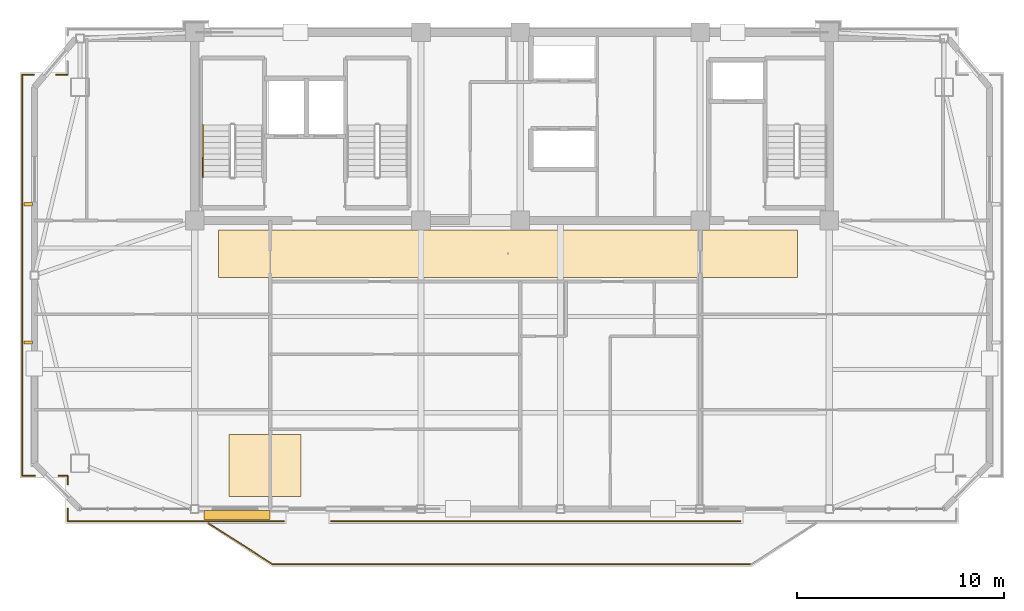
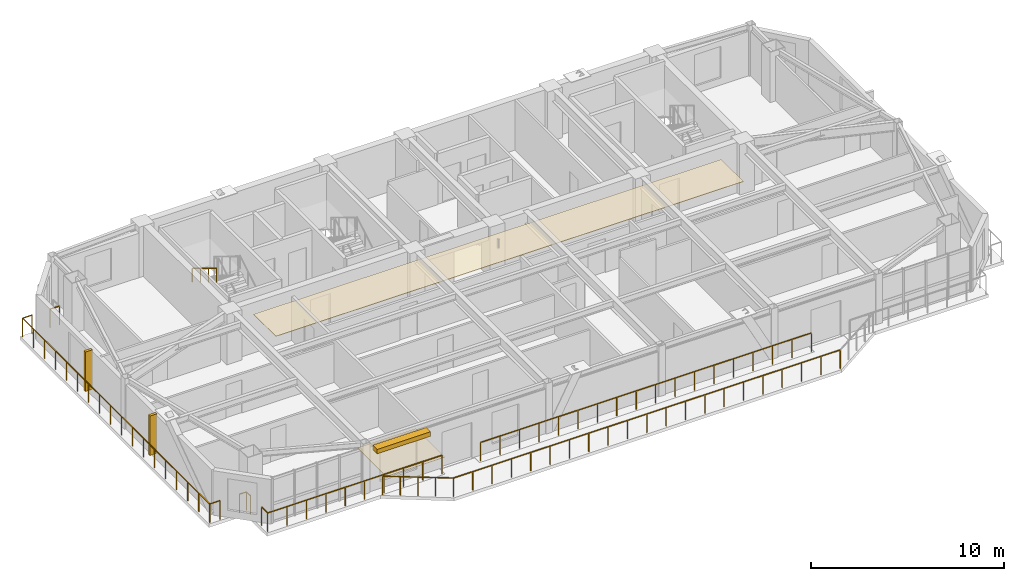
# One storey, part 10 of 12: 12 railings, 3 shading devices, 2 coverings.
"""IFC4 building model written with IfcOpenShell, lengths in metres."""

from ifc_helpers import new_model, si_unit, direction, frame, origin, origin_2d, place, context, subcontext, project, spatial, polyline, rectangle, outline, extrude, source, transform, mapped, material, layer, layer_set, type_object, element, save


model = new_model("IFC4")

# Units and contexts
model_context = context("Model", 3, precision=1e-05, world=origin(), true_north=direction((0.0, 1.0)))
body_context = subcontext(model_context, "Body", "Model", "MODEL_VIEW")
ifc_project = project(units=[si_unit("LENGTHUNIT", "METRE"), si_unit("AREAUNIT", "SQUARE_METRE"), si_unit("VOLUMEUNIT", "CUBIC_METRE"), si_unit("PLANEANGLEUNIT", "RADIAN"), si_unit("MASSUNIT", "GRAM", prefix="KILO")], contexts=[model_context])

# Site, building, storey
site_placement = place(None, origin())
site = spatial("IfcSite", under=ifc_project, at=site_placement, CompositionType="ELEMENT")
building_placement = place(site_placement, origin())
building = spatial("IfcBuilding", under=site, at=building_placement, Name="Giltprow Tower", CompositionType="ELEMENT")
storey_placement = place(building_placement, frame((0.0, 0.0, 345.89990234375)))
storey = spatial("IfcBuildingStorey", under=building, at=storey_placement, Name="L90", CompositionType="ELEMENT", Elevation=345.89990234375)

# Coverings
ifc_material_1 = material(Name="Painted gypsum board", Category="gypsum")
ifc_layer_1 = layer(ifc_material_1, 0.030029296875, Name="Painted gypsum board")
ifc_layer_set_1 = layer_set([ifc_layer_1], Name="Painted gypsum board")
covering_type_1 = type_object("IfcCoveringType", Name="COV-CLG-GYPSUM", PredefinedType="CEILING", material=ifc_layer_set_1)
covering_1_placement = place(storey_placement, frame((0.0, 0.0, 2.6201171875)))
element("IfcCovering", 1, at=covering_1_placement, inside=storey, type_object=covering_type_1, Name="L90 Residence Gallery Ceiling", PredefinedType="CEILING", context=body_context, shape_type="SweptSolid", body=[
    extrude(outline(polyline([(21.0, 34.699951171875), (49.0, 34.699951171875), (49.0, 37.0), (21.0, 37.0), (21.0, 34.699951171875)])), origin(), (0.0, 0.0, 1.0), 0.030029296875),
])
ifc_material_2 = material(Name="Engineered oak", Category="wood")
ifc_layer_2 = layer(ifc_material_2, 0.02490234375, Name="Engineered oak")
ifc_layer_set_2 = layer_set([ifc_layer_2], Name="Engineered oak")
covering_type_2 = type_object("IfcCoveringType", Name="COV-FLR-TIMBER", PredefinedType="FLOORING", material=ifc_layer_set_2)
covering_2_placement = place(storey_placement, origin())
element("IfcCovering", 2, at=covering_2_placement, inside=storey, type_object=covering_type_2, Name="L90 Residence Oak Parquet Flooring", PredefinedType="FLOORING", context=body_context, shape_type="SweptSolid", body=[
    extrude(outline(polyline([(21.5, 24.10009765625), (25.0, 24.10009765625), (25.0, 27.10009765625), (21.5, 27.10009765625), (21.5, 24.10009765625)])), origin(), (0.0, 0.0, 1.0), 0.025146484375),
])

# Railings
ifc_material_3 = material(Name="Anodized bronze", Category="metal")
railing_type_1 = type_object("IfcRailingType", Name="RAIL-BALC-GUARD-1200", PredefinedType="BALUSTRADE", material=ifc_material_3)
railing_1_placement = place(storey_placement, frame((20.52001953125, 22.800048828125, 0.0)))
element("IfcRailing", 3, at=railing_1_placement, inside=storey, type_object=railing_type_1, Name="L90 Waterfront Balcony Balustrade Seg 1", PredefinedType="BALUSTRADE", context=body_context, shape_type="SweptSolid", body=[
    extrude(rectangle(XDim=0.048095703125, YDim=0.048095703125, at=origin_2d()), frame((0.0, 0.0, 1.17578125), z_axis=(0.84277487735, -0.538266203757, 0.0), x_axis=(0.538266203757, 0.84277487735, 0.0)), (0.0, 0.0, 1.0), 3.678466796875),
    extrude(rectangle(XDim=0.0419921875, YDim=0.0419921875, at=origin_2d()), origin(), (0.0, 0.0, 1.0), 1.15185546875),
    extrude(rectangle(XDim=0.0419921875, YDim=0.0419921875, at=origin_2d()), frame((0.77490234375, -0.4951171875, 0.0)), (0.0, 0.0, 1.0), 1.15185546875),
    extrude(rectangle(XDim=0.0419921875, YDim=0.0419921875, at=origin_2d()), frame((1.550048828125, -0.989990234375, 0.0)), (0.0, 0.0, 1.0), 1.15185546875),
    extrude(rectangle(XDim=0.0419921875, YDim=0.0419921875, at=origin_2d()), frame((2.3251953125, -1.48486328125, 0.0)), (0.0, 0.0, 1.0), 1.15185546875),
    extrude(rectangle(XDim=0.0419921875, YDim=0.0419921875, at=origin_2d()), frame((3.10009765625, -1.97998046875, 0.0)), (0.0, 0.0, 1.0), 1.15185546875),
])
railing_2_placement = place(storey_placement, frame((23.6201171875, 20.820068359375, 0.0)))
element("IfcRailing", 4, at=railing_2_placement, inside=storey, type_object=railing_type_1, Name="L90 Waterfront Balcony Balustrade Seg 2", PredefinedType="BALUSTRADE", context=body_context, shape_type="SweptSolid", body=[
    extrude(rectangle(XDim=0.048095703125, YDim=0.048095703125, at=origin_2d()), frame((0.0, 0.0, 1.17578125), z_axis=(1.0, 0.0, 0.0), x_axis=(0.0, 1.0, 0.0)), (0.0, 0.0, 1.0), 23.159912109375),
    extrude(rectangle(XDim=0.0419921875, YDim=0.0419921875, at=origin_2d()), origin(), (0.0, 0.0, 1.0), 1.15185546875),
    extrude(rectangle(XDim=0.0419921875, YDim=0.0419921875, at=origin_2d()), frame((1.157958984375, 0.0, 0.0)), (0.0, 0.0, 1.0), 1.15185546875),
    extrude(rectangle(XDim=0.0419921875, YDim=0.0419921875, at=origin_2d()), frame((2.31591796875, 0.0, 0.0)), (0.0, 0.0, 1.0), 1.15185546875),
    extrude(rectangle(XDim=0.0419921875, YDim=0.0419921875, at=origin_2d()), frame((3.473876953125, 0.0, 0.0)), (0.0, 0.0, 1.0), 1.15185546875),
    extrude(rectangle(XDim=0.0419921875, YDim=0.0419921875, at=origin_2d()), frame((4.632080078125, 0.0, 0.0)), (0.0, 0.0, 1.0), 1.15185546875),
    extrude(rectangle(XDim=0.0419921875, YDim=0.0419921875, at=origin_2d()), frame((5.7900390625, 0.0, 0.0)), (0.0, 0.0, 1.0), 1.15185546875),
    extrude(rectangle(XDim=0.0419921875, YDim=0.0419921875, at=origin_2d()), frame((6.947998046875, 0.0, 0.0)), (0.0, 0.0, 1.0), 1.15185546875),
    extrude(rectangle(XDim=0.0419921875, YDim=0.0419921875, at=origin_2d()), frame((8.10595703125, 0.0, 0.0)), (0.0, 0.0, 1.0), 1.15185546875),
    extrude(rectangle(XDim=0.0419921875, YDim=0.0419921875, at=origin_2d()), frame((9.263916015625, 0.0, 0.0)), (0.0, 0.0, 1.0), 1.15185546875),
    extrude(rectangle(XDim=0.0419921875, YDim=0.0419921875, at=origin_2d()), frame((10.421875, 0.0, 0.0)), (0.0, 0.0, 1.0), 1.15185546875),
    extrude(rectangle(XDim=0.0419921875, YDim=0.0419921875, at=origin_2d()), frame((11.580078125, 0.0, 0.0)), (0.0, 0.0, 1.0), 1.15185546875),
    extrude(rectangle(XDim=0.0419921875, YDim=0.0419921875, at=origin_2d()), frame((12.738037109375, 0.0, 0.0)), (0.0, 0.0, 1.0), 1.15185546875),
    extrude(rectangle(XDim=0.0419921875, YDim=0.0419921875, at=origin_2d()), frame((13.89599609375, 0.0, 0.0)), (0.0, 0.0, 1.0), 1.15185546875),
    extrude(rectangle(XDim=0.0419921875, YDim=0.0419921875, at=origin_2d()), frame((15.053955078125, 0.0, 0.0)), (0.0, 0.0, 1.0), 1.15185546875),
    extrude(rectangle(XDim=0.0419921875, YDim=0.0419921875, at=origin_2d()), frame((16.2119140625, 0.0, 0.0)), (0.0, 0.0, 1.0), 1.15185546875),
    extrude(rectangle(XDim=0.0419921875, YDim=0.0419921875, at=origin_2d()), frame((17.369873046875, 0.0, 0.0)), (0.0, 0.0, 1.0), 1.15185546875),
    extrude(rectangle(XDim=0.0419921875, YDim=0.0419921875, at=origin_2d()), frame((18.52783203125, 0.0, 0.0)), (0.0, 0.0, 1.0), 1.15185546875),
    extrude(rectangle(XDim=0.0419921875, YDim=0.0419921875, at=origin_2d()), frame((19.68603515625, 0.0, 0.0)), (0.0, 0.0, 1.0), 1.15185546875),
    extrude(rectangle(XDim=0.0419921875, YDim=0.0419921875, at=origin_2d()), frame((20.843994140625, 0.0, 0.0)), (0.0, 0.0, 1.0), 1.15185546875),
    extrude(rectangle(XDim=0.0419921875, YDim=0.0419921875, at=origin_2d()), frame((22.001953125, 0.0, 0.0)), (0.0, 0.0, 1.0), 1.15185546875),
    extrude(rectangle(XDim=0.0419921875, YDim=0.0419921875, at=origin_2d()), frame((23.159912109375, 0.0, 0.0)), (0.0, 0.0, 1.0), 1.15185546875),
])
railing_3_placement = place(storey_placement, frame((46.25, 22.89990234375, 0.0)))
element("IfcRailing", 5, at=railing_3_placement, inside=storey, type_object=railing_type_1, Name="L90 Corner Apron Edge Balustrade 7", PredefinedType="BALUSTRADE", context=body_context, shape_type="SweptSolid", body=[
    extrude(rectangle(XDim=0.048095703125, YDim=0.048095703125, at=origin_2d()), frame((0.0, 0.0, 1.17578125), z_axis=(-1.0, 0.0, 0.0), x_axis=(0.0, -1.0, 0.0)), (0.0, 0.0, 1.0), 19.800048828125),
    extrude(rectangle(XDim=0.0419921875, YDim=0.0419921875, at=origin_2d()), origin(), (0.0, 0.0, 1.0), 1.15185546875),
    extrude(rectangle(XDim=0.0419921875, YDim=0.0419921875, at=origin_2d()), frame((-1.164794921875, 0.0, 0.0)), (0.0, 0.0, 1.0), 1.15185546875),
    extrude(rectangle(XDim=0.0419921875, YDim=0.0419921875, at=origin_2d()), frame((-2.329345703125, 0.0, 0.0)), (0.0, 0.0, 1.0), 1.15185546875),
    extrude(rectangle(XDim=0.0419921875, YDim=0.0419921875, at=origin_2d()), frame((-3.494140625, 0.0, 0.0)), (0.0, 0.0, 1.0), 1.15185546875),
    extrude(rectangle(XDim=0.0419921875, YDim=0.0419921875, at=origin_2d()), frame((-4.658935546875, 0.0, 0.0)), (0.0, 0.0, 1.0), 1.15185546875),
    extrude(rectangle(XDim=0.0419921875, YDim=0.0419921875, at=origin_2d()), frame((-5.823486328125, 0.0, 0.0)), (0.0, 0.0, 1.0), 1.15185546875),
    extrude(rectangle(XDim=0.0419921875, YDim=0.0419921875, at=origin_2d()), frame((-6.98828125, 0.0, 0.0)), (0.0, 0.0, 1.0), 1.15185546875),
    extrude(rectangle(XDim=0.0419921875, YDim=0.0419921875, at=origin_2d()), frame((-8.153076171875, 0.0, 0.0)), (0.0, 0.0, 1.0), 1.15185546875),
    extrude(rectangle(XDim=0.0419921875, YDim=0.0419921875, at=origin_2d()), frame((-9.317626953125, 0.0, 0.0)), (0.0, 0.0, 1.0), 1.15185546875),
    extrude(rectangle(XDim=0.0419921875, YDim=0.0419921875, at=origin_2d()), frame((-10.482421875, 0.0, 0.0)), (0.0, 0.0, 1.0), 1.15185546875),
    extrude(rectangle(XDim=0.0419921875, YDim=0.0419921875, at=origin_2d()), frame((-11.64697265625, 0.0, 0.0)), (0.0, 0.0, 1.0), 1.15185546875),
    extrude(rectangle(XDim=0.0419921875, YDim=0.0419921875, at=origin_2d()), frame((-12.811767578125, 0.0, 0.0)), (0.0, 0.0, 1.0), 1.15185546875),
    extrude(rectangle(XDim=0.0419921875, YDim=0.0419921875, at=origin_2d()), frame((-13.9765625, 0.0, 0.0)), (0.0, 0.0, 1.0), 1.15185546875),
    extrude(rectangle(XDim=0.0419921875, YDim=0.0419921875, at=origin_2d()), frame((-15.14111328125, 0.0, 0.0)), (0.0, 0.0, 1.0), 1.15185546875),
    extrude(rectangle(XDim=0.0419921875, YDim=0.0419921875, at=origin_2d()), frame((-16.305908203125, 0.0, 0.0)), (0.0, 0.0, 1.0), 1.15185546875),
    extrude(rectangle(XDim=0.0419921875, YDim=0.0419921875, at=origin_2d()), frame((-17.470703125, 0.0, 0.0)), (0.0, 0.0, 1.0), 1.15185546875),
    extrude(rectangle(XDim=0.0419921875, YDim=0.0419921875, at=origin_2d()), frame((-18.63525390625, 0.0, 0.0)), (0.0, 0.0, 1.0), 1.15185546875),
    extrude(rectangle(XDim=0.0419921875, YDim=0.0419921875, at=origin_2d()), frame((-19.800048828125, 0.0, 0.0)), (0.0, 0.0, 1.0), 1.15185546875),
])
railing_4_placement = place(storey_placement, frame((24.14990234375, 22.89990234375, 0.0)))
element("IfcRailing", 6, at=railing_4_placement, inside=storey, type_object=railing_type_1, Name="L90 Corner Apron Edge Balustrade 8", PredefinedType="BALUSTRADE", context=body_context, shape_type="SweptSolid", body=[
    extrude(rectangle(XDim=0.048095703125, YDim=0.048095703125, at=origin_2d()), frame((0.0, 0.0, 1.17578125), z_axis=(-1.0, 0.0, 0.0), x_axis=(0.0, -1.0, 0.0)), (0.0, 0.0, 1.0), 10.449951171875),
    extrude(rectangle(XDim=0.0419921875, YDim=0.0419921875, at=origin_2d()), origin(), (0.0, 0.0, 1.0), 1.15185546875),
    extrude(rectangle(XDim=0.0419921875, YDim=0.0419921875, at=origin_2d()), frame((-1.1611328125, 0.0, 0.0)), (0.0, 0.0, 1.0), 1.15185546875),
    extrude(rectangle(XDim=0.0419921875, YDim=0.0419921875, at=origin_2d()), frame((-2.322265625, 0.0, 0.0)), (0.0, 0.0, 1.0), 1.15185546875),
    extrude(rectangle(XDim=0.0419921875, YDim=0.0419921875, at=origin_2d()), frame((-3.4833984375, 0.0, 0.0)), (0.0, 0.0, 1.0), 1.15185546875),
    extrude(rectangle(XDim=0.0419921875, YDim=0.0419921875, at=origin_2d()), frame((-4.64453125, 0.0, 0.0)), (0.0, 0.0, 1.0), 1.15185546875),
    extrude(rectangle(XDim=0.0419921875, YDim=0.0419921875, at=origin_2d()), frame((-5.805419921875, 0.0, 0.0)), (0.0, 0.0, 1.0), 1.15185546875),
    extrude(rectangle(XDim=0.0419921875, YDim=0.0419921875, at=origin_2d()), frame((-6.966552734375, 0.0, 0.0)), (0.0, 0.0, 1.0), 1.15185546875),
    extrude(rectangle(XDim=0.0419921875, YDim=0.0419921875, at=origin_2d()), frame((-8.127685546875, 0.0, 0.0)), (0.0, 0.0, 1.0), 1.15185546875),
    extrude(rectangle(XDim=0.0419921875, YDim=0.0419921875, at=origin_2d()), frame((-9.288818359375, 0.0, 0.0)), (0.0, 0.0, 1.0), 1.15185546875),
    extrude(rectangle(XDim=0.0419921875, YDim=0.0419921875, at=origin_2d()), frame((-10.449951171875, 0.0, 0.0)), (0.0, 0.0, 1.0), 1.15185546875),
])
railing_5_placement = place(storey_placement, frame((13.699951171875, 22.89990234375, 0.0)))
element("IfcRailing", 7, at=railing_5_placement, inside=storey, type_object=railing_type_1, Name="L90 Corner Apron Edge Balustrade 9", PredefinedType="BALUSTRADE", context=body_context, shape_type="SweptSolid", body=[
    extrude(rectangle(XDim=0.048095703125, YDim=0.048095703125, at=origin_2d()), frame((0.0, 0.0, 1.17578125), z_axis=(0.0, 1.0, 0.0), x_axis=(-1.0, 0.0, 0.0)), (0.0, 0.0, 1.0), 0.6201171875),
    extrude(rectangle(XDim=0.0419921875, YDim=0.0419921875, at=origin_2d()), origin(), (0.0, 0.0, 1.0), 1.15185546875),
    extrude(rectangle(XDim=0.0419921875, YDim=0.0419921875, at=origin_2d()), frame((0.0, 0.6201171875, 0.0)), (0.0, 0.0, 1.0), 1.15185546875),
])
railing_6_placement = place(storey_placement, frame((13.699951171875, 24.679931640625, 0.0)))
element("IfcRailing", 8, at=railing_6_placement, inside=storey, type_object=railing_type_1, Name="L90 Corner Apron Edge Balustrade 10", PredefinedType="BALUSTRADE", context=body_context, shape_type="SweptSolid", body=[
    extrude(rectangle(XDim=0.048095703125, YDim=0.048095703125, at=origin_2d()), frame((0.0, 0.0, 1.17578125), z_axis=(0.0, 1.0, 0.0), x_axis=(-1.0, 0.0, 0.0)), (0.0, 0.0, 1.0), 0.420166015625),
    extrude(rectangle(XDim=0.0419921875, YDim=0.0419921875, at=origin_2d()), origin(), (0.0, 0.0, 1.0), 1.15185546875),
    extrude(rectangle(XDim=0.0419921875, YDim=0.0419921875, at=origin_2d()), frame((0.0, 0.420166015625, 0.0)), (0.0, 0.0, 1.0), 1.15185546875),
])
railing_7_placement = place(storey_placement, frame((13.699951171875, 25.10009765625, 0.0)))
element("IfcRailing", 9, at=railing_7_placement, inside=storey, type_object=railing_type_1, Name="L90 Corner Apron Edge Balustrade 11", PredefinedType="BALUSTRADE", context=body_context, shape_type="SweptSolid", body=[
    extrude(rectangle(XDim=0.048095703125, YDim=0.048095703125, at=origin_2d()), frame((0.0, 0.0, 1.17578125), z_axis=(-1.0, 0.0, 0.0), x_axis=(0.0, -1.0, 0.0)), (0.0, 0.0, 1.0), 0.419921875),
    extrude(rectangle(XDim=0.0419921875, YDim=0.0419921875, at=origin_2d()), origin(), (0.0, 0.0, 1.0), 1.15185546875),
    extrude(rectangle(XDim=0.0419921875, YDim=0.0419921875, at=origin_2d()), frame((-0.419921875, 0.0, 0.0)), (0.0, 0.0, 1.0), 1.15185546875),
])
railing_8_placement = place(storey_placement, frame((12.1201171875, 25.10009765625, 0.0)))
element("IfcRailing", 10, at=railing_8_placement, inside=storey, type_object=railing_type_1, Name="L90 Corner Apron Edge Balustrade 12", PredefinedType="BALUSTRADE", context=body_context, shape_type="SweptSolid", body=[
    extrude(rectangle(XDim=0.048095703125, YDim=0.048095703125, at=origin_2d()), frame((0.0, 0.0, 1.17578125), z_axis=(-1.0, 0.0, 0.0), x_axis=(0.0, -1.0, 0.0)), (0.0, 0.0, 1.0), 0.6201171875),
    extrude(rectangle(XDim=0.0419921875, YDim=0.0419921875, at=origin_2d()), origin(), (0.0, 0.0, 1.0), 1.15185546875),
    extrude(rectangle(XDim=0.0419921875, YDim=0.0419921875, at=origin_2d()), frame((-0.6201171875, 0.0, 0.0)), (0.0, 0.0, 1.0), 1.15185546875),
])
railing_9_placement = place(storey_placement, frame((11.5, 25.10009765625, 0.0)))
element("IfcRailing", 11, at=railing_9_placement, inside=storey, type_object=railing_type_1, Name="L90 Corner Apron Edge Balustrade 13", PredefinedType="BALUSTRADE", context=body_context, shape_type="SweptSolid", body=[
    extrude(rectangle(XDim=0.048095703125, YDim=0.048095703125, at=origin_2d()), frame((0.0, 0.0, 1.17578125), z_axis=(0.0, 1.0, 0.0), x_axis=(-1.0, 0.0, 0.0)), (0.0, 0.0, 1.0), 19.39990234375),
    extrude(rectangle(XDim=0.0419921875, YDim=0.0419921875, at=origin_2d()), origin(), (0.0, 0.0, 1.0), 1.15185546875),
    extrude(rectangle(XDim=0.0419921875, YDim=0.0419921875, at=origin_2d()), frame((0.0, 1.14111328125, 0.0)), (0.0, 0.0, 1.0), 1.15185546875),
    extrude(rectangle(XDim=0.0419921875, YDim=0.0419921875, at=origin_2d()), frame((0.0, 2.2822265625, 0.0)), (0.0, 0.0, 1.0), 1.15185546875),
    extrude(rectangle(XDim=0.0419921875, YDim=0.0419921875, at=origin_2d()), frame((0.0, 3.423583984375, 0.0)), (0.0, 0.0, 1.0), 1.15185546875),
    extrude(rectangle(XDim=0.0419921875, YDim=0.0419921875, at=origin_2d()), frame((0.0, 4.564697265625, 0.0)), (0.0, 0.0, 1.0), 1.15185546875),
    extrude(rectangle(XDim=0.0419921875, YDim=0.0419921875, at=origin_2d()), frame((0.0, 5.705810546875, 0.0)), (0.0, 0.0, 1.0), 1.15185546875),
    extrude(rectangle(XDim=0.0419921875, YDim=0.0419921875, at=origin_2d()), frame((0.0, 6.846923828125, 0.0)), (0.0, 0.0, 1.0), 1.15185546875),
    extrude(rectangle(XDim=0.0419921875, YDim=0.0419921875, at=origin_2d()), frame((0.0, 7.98828125, 0.0)), (0.0, 0.0, 1.0), 1.15185546875),
    extrude(rectangle(XDim=0.0419921875, YDim=0.0419921875, at=origin_2d()), frame((0.0, 9.12939453125, 0.0)), (0.0, 0.0, 1.0), 1.15185546875),
    extrude(rectangle(XDim=0.0419921875, YDim=0.0419921875, at=origin_2d()), frame((0.0, 10.2705078125, 0.0)), (0.0, 0.0, 1.0), 1.15185546875),
    extrude(rectangle(XDim=0.0419921875, YDim=0.0419921875, at=origin_2d()), frame((0.0, 11.41162109375, 0.0)), (0.0, 0.0, 1.0), 1.15185546875),
    extrude(rectangle(XDim=0.0419921875, YDim=0.0419921875, at=origin_2d()), frame((0.0, 12.552978515625, 0.0)), (0.0, 0.0, 1.0), 1.15185546875),
    extrude(rectangle(XDim=0.0419921875, YDim=0.0419921875, at=origin_2d()), frame((0.0, 13.694091796875, 0.0)), (0.0, 0.0, 1.0), 1.15185546875),
    extrude(rectangle(XDim=0.0419921875, YDim=0.0419921875, at=origin_2d()), frame((0.0, 14.835205078125, 0.0)), (0.0, 0.0, 1.0), 1.15185546875),
    extrude(rectangle(XDim=0.0419921875, YDim=0.0419921875, at=origin_2d()), frame((0.0, 15.976318359375, 0.0)), (0.0, 0.0, 1.0), 1.15185546875),
    extrude(rectangle(XDim=0.0419921875, YDim=0.0419921875, at=origin_2d()), frame((0.0, 17.11767578125, 0.0)), (0.0, 0.0, 1.0), 1.15185546875),
    extrude(rectangle(XDim=0.0419921875, YDim=0.0419921875, at=origin_2d()), frame((0.0, 18.2587890625, 0.0)), (0.0, 0.0, 1.0), 1.15185546875),
    extrude(rectangle(XDim=0.0419921875, YDim=0.0419921875, at=origin_2d()), frame((0.0, 19.39990234375, 0.0)), (0.0, 0.0, 1.0), 1.15185546875),
])
railing_10_placement = place(storey_placement, frame((11.5, 44.5, 0.0)))
element("IfcRailing", 12, at=railing_10_placement, inside=storey, type_object=railing_type_1, Name="L90 Corner Apron Edge Balustrade 14", PredefinedType="BALUSTRADE", context=body_context, shape_type="SweptSolid", body=[
    extrude(rectangle(XDim=0.048095703125, YDim=0.048095703125, at=origin_2d()), frame((0.0, 0.0, 1.17578125), z_axis=(1.0, 0.0, 0.0), x_axis=(0.0, 1.0, 0.0)), (0.0, 0.0, 1.0), 0.572021484375),
    extrude(rectangle(XDim=0.0419921875, YDim=0.0419921875, at=origin_2d()), origin(), (0.0, 0.0, 1.0), 1.15185546875),
    extrude(rectangle(XDim=0.0419921875, YDim=0.0419921875, at=origin_2d()), frame((0.572021484375, 0.0, 0.0)), (0.0, 0.0, 1.0), 1.15185546875),
])
railing_11_placement = place(storey_placement, frame((13.14892578125, 44.5, 0.0)))
element("IfcRailing", 13, at=railing_11_placement, inside=storey, type_object=railing_type_1, Name="L90 Corner Apron Edge Balustrade 15", PredefinedType="BALUSTRADE", context=body_context, shape_type="SweptSolid", body=[
    extrude(rectangle(XDim=0.048095703125, YDim=0.048095703125, at=origin_2d()), frame((0.0, 0.0, 1.17578125), z_axis=(1.0, 0.0, 0.0), x_axis=(0.0, 1.0, 0.0)), (0.0, 0.0, 1.0), 0.551025390625),
    extrude(rectangle(XDim=0.0419921875, YDim=0.0419921875, at=origin_2d()), origin(), (0.0, 0.0, 1.0), 1.15185546875),
    extrude(rectangle(XDim=0.0419921875, YDim=0.0419921875, at=origin_2d()), frame((0.551025390625, 0.0, 0.0)), (0.0, 0.0, 1.0), 1.15185546875),
])
railing_type_2 = type_object("IfcRailingType", Name="RAIL-STAIR-HAND-900", PredefinedType="HANDRAIL", material=ifc_material_3)
railing_12_placement = place(storey_placement, frame((20.25, 42.070068359375, 1.8701171875)))
element("IfcRailing", 14, at=railing_12_placement, inside=storey, type_object=railing_type_2, Name="L90 ST-1 stair handrail 2", PredefinedType="HANDRAIL", context=body_context, shape_type="SweptSolid", body=[
    extrude(rectangle(XDim=0.048095703125, YDim=0.048095703125, at=origin_2d()), frame((0.0, 0.0, 0.8759765625), z_axis=(0.0, -0.85478489116, 0.518982456201), x_axis=(1.0, 0.0, 0.0)), (0.0, 0.0, 1.0), 2.9482421875),
    extrude(rectangle(XDim=0.0419921875, YDim=0.0419921875, at=origin_2d()), origin(), (0.0, 0.0, 1.0), 0.851806640625),
    extrude(rectangle(XDim=0.0419921875, YDim=0.0419921875, at=origin_2d()), frame((0.0, -0.840087890625, 0.510009765625)), (0.0, 0.0, 1.0), 0.851806640625),
    extrude(rectangle(XDim=0.0419921875, YDim=0.0419921875, at=origin_2d()), frame((0.0, -1.679931640625, 1.02001953125)), (0.0, 0.0, 1.0), 0.851806640625),
    extrude(rectangle(XDim=0.0419921875, YDim=0.0419921875, at=origin_2d()), frame((0.0, -2.52001953125, 1.530029296875)), (0.0, 0.0, 1.0), 0.851806640625),
])

# Shading devices
shading_device_type_1 = type_object("IfcShadingDeviceType", Name="SHD-FIN-420", PredefinedType="USERDEFINED", material=ifc_material_3)
shared_shape_1 = source(origin(), body_context, "Body", "SweptSolid", [
    extrude(rectangle(XDim=0.419921875, YDim=0.159912109375, at=origin_2d()), origin(), (0.0, 0.0, 1.0), 2.5),
])
for number, where, z_axis, x_axis, name in (
    (15, (11.800048828125, 31.547119140625, 0.35009765625), (0.0, 0.0, 1.0), (1.0, 0.0, 0.0), "L90 W Bronze Vertical Fin 1-1"),
    (16, (11.800048828125, 38.22998046875, 0.35009765625), (0.0, 0.0, 1.0), (1.0, 0.0, 0.0), "L90 W Bronze Vertical Fin 2-1"),
):
    element("IfcShadingDevice", number, at=place(storey_placement, frame(where, z_axis=z_axis, x_axis=x_axis)), inside=storey, type_object=shading_device_type_1, Name=name, ObjectType="FIN", PredefinedType="USERDEFINED", context=body_context, shape_type="MappedRepresentation", body=[
        mapped(shared_shape_1, transform((0.0, 0.0, 0.0), x_axis=(1.0, 0.0, 0.0), y_axis=(0.0, 1.0, 0.0), z_axis=(0.0, 0.0, 1.0), scale=1.0)),
    ])
shading_device_type_2 = type_object("IfcShadingDeviceType", Name="SHD-LOUVRE-320", PredefinedType="JALOUSIE", material=ifc_material_3)
shared_shape_2 = source(origin(), body_context, "Body", "SweptSolid", [
    extrude(rectangle(XDim=3.199951171875, YDim=0.449951171875, at=origin_2d()), origin(), (0.0, 0.0, 1.0), 0.280029296875),
])
shading_device_placement = place(storey_placement, frame((21.89990234375, 23.199951171875, 2.56005859375), z_axis=(0.0, 0.0, 1.0), x_axis=(1.0, 0.0, 0.0)))
element("IfcShadingDevice", 17, at=shading_device_placement, inside=storey, type_object=shading_device_type_2, Name="L90 Bronze Sunshade Louvre S-2", PredefinedType="JALOUSIE", context=body_context, shape_type="MappedRepresentation", body=[
    mapped(shared_shape_2, transform((0.0, 0.0, 0.0), x_axis=(1.0, 0.0, 0.0), y_axis=(0.0, 1.0, 0.0), z_axis=(0.0, 0.0, 1.0), scale=1.0)),
])

save(model, "model.ifc")
